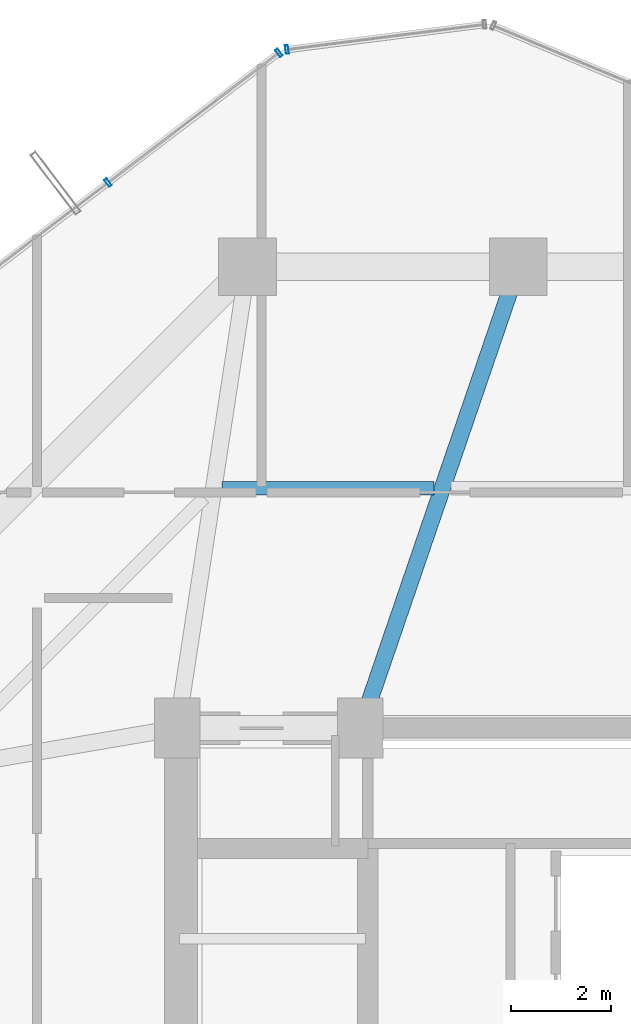
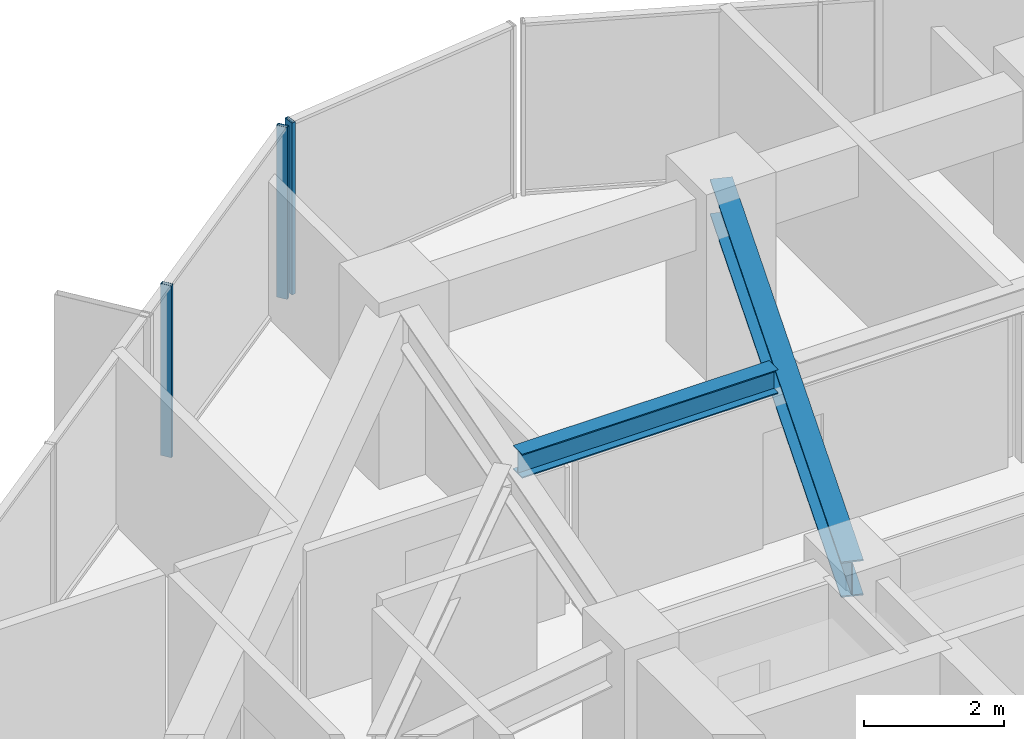
# One storey, part 21 of 33: 3 members, 2 beams, 2 elements without a shape of their own.
"""IFC4 building model written with IfcOpenShell, lengths in metres."""

from ifc_helpers import new_model, si_unit, direction, frame, origin, origin_2d, place, context, subcontext, project, spatial, hollow_rectangle, i_section, extrude, source, transform, mapped, material, layer, layer_set, material_profile, profile_set, type_object, element, aggregate, save


model = new_model("IFC4")

# Units and contexts
model_context = context("Model", 3, precision=1e-05, world=origin(), true_north=direction((0.0, 1.0)))
body_context = subcontext(model_context, "Body", "Model", "MODEL_VIEW")
ifc_project = project(units=[si_unit("LENGTHUNIT", "METRE"), si_unit("AREAUNIT", "SQUARE_METRE"), si_unit("VOLUMEUNIT", "CUBIC_METRE"), si_unit("PLANEANGLEUNIT", "RADIAN"), si_unit("MASSUNIT", "GRAM", prefix="KILO")], contexts=[model_context])

# Site, building, storey
site_placement = place(None, origin())
site = spatial("IfcSite", under=ifc_project, at=site_placement, CompositionType="ELEMENT")
building_placement = place(site_placement, origin())
building = spatial("IfcBuilding", under=site, at=building_placement, Name="Veraguas Prism Commons", CompositionType="ELEMENT")
storey_placement = place(building_placement, frame((0.0, 0.0, 152.25)))
storey = spatial("IfcBuildingStorey", under=building, at=storey_placement, Name="L43", CompositionType="ELEMENT", Elevation=152.25)

# Beams
ifc_material_1 = material(Name="Steel ASTM A992 Grade 50", Category="steel")
ifc_material_profile_1 = material_profile(ifc_material_1, i_section(OverallWidth=0.260986328125, OverallDepth=0.419921875, WebThickness=0.01171875, FlangeThickness=0.019287109375, at=origin_2d()), Name="W410X114")
ifc_profile_set_1 = profile_set([ifc_material_profile_1], Name="Steel ASTM A992 Grade 50")
beam_type_1 = type_object("IfcBeamType", Name="Lower Floor Joist W410x114", PredefinedType="JOIST", material=ifc_profile_set_1)
beam_1_placement = place(storey_placement, frame((22.31689453125, 35.783935546875, 2.7900390625), z_axis=(-1.0, 0.0, 0.0), x_axis=(0.0, -1.0, 0.0)))
element("IfcBeam", 1, at=beam_1_placement, inside=storey, type_object=beam_type_1, Name="Composite Floor Joist L43-JS05", PredefinedType="JOIST", context=body_context, shape_type="SweptSolid", body=[
    extrude(i_section(OverallWidth=0.260986328125, OverallDepth=0.419921875, WebThickness=0.01171875, FlangeThickness=0.019287109375, at=origin_2d()), origin(), (0.0, 0.0, 1.0), 4.22509765625),
])
ifc_material_profile_2 = material_profile(ifc_material_1, i_section(OverallWidth=0.327880859375, OverallDepth=0.6220703125, WebThickness=0.015380859375, FlangeThickness=0.0244140625, at=origin_2d()), Name="W610X195")
ifc_profile_set_2 = profile_set([ifc_material_profile_2], Name="Steel ASTM A992 Grade 50")
beam_type_2 = type_object("IfcBeamType", Name="Zone 2 Radial Girder W610x195", PredefinedType="BEAM", material=ifc_profile_set_2)
beam_2_placement = place(storey_placement, frame((24.0, 40.199951171875, 2.68896484375), z_axis=(-0.323922482989, -0.946083624747, 0.0), x_axis=(0.946083624747, -0.323922482989, 0.0)))
element("IfcBeam", 2, at=beam_2_placement, inside=storey, type_object=beam_type_2, Name="Radial Floor Girder L43-RD05", PredefinedType="BEAM", context=body_context, shape_type="SweptSolid", body=[
    extrude(i_section(OverallWidth=0.327880859375, OverallDepth=0.6220703125, WebThickness=0.015380859375, FlangeThickness=0.0244140625, at=origin_2d()), origin(), (0.0, 0.0, 1.0), 9.724365234375),
])

# Curtain wall, members
ifc_material_2 = material(Name="Anodised aluminium EN AW-6063 T6", Category="aluminium")
ifc_layer = layer(ifc_material_2, 0.169921875, Name="Unitised Flush Curtain Wall Zone 2", Category="aluminium")
ifc_layer_set = layer_set([ifc_layer], Name="Anodised aluminium EN AW-6063 T6")
curtain_wall_type = type_object("IfcCurtainWallType", Name="Unitised Flush Curtain Wall Zone 2", PredefinedType="NOTDEFINED", material=ifc_layer_set)
curtain_wall_1_placement = place(storey_placement, origin())
curtain_wall_1 = element("IfcCurtainWall", 3, at=curtain_wall_1_placement, inside=storey, type_object=curtain_wall_type, Name="Tower Facade Curtain Wall L43-F2", PredefinedType="NOTDEFINED")
ifc_material_profile_3 = material_profile(ifc_material_2, hollow_rectangle(XDim=0.06005859375, YDim=0.169921875, WallThickness=0.00390625, at=origin_2d()), Name="AL60X170X4")
ifc_profile_set_3 = profile_set([ifc_material_profile_3], Name="Anodised aluminium EN AW-6063 T6")
member_type = type_object("IfcMemberType", Name="Curtain Wall Mullion Lower AL 60x170x4", PredefinedType="MULLION", material=ifc_profile_set_3)
shared_shape = source(origin(), body_context, "Body", "SweptSolid", [
    extrude(hollow_rectangle(XDim=0.06005859375, YDim=0.169921875, WallThickness=0.00390625, at=origin_2d()), origin(), (0.0, 0.0, 1.0), 3.0),
])
member_1_placement = place(storey_placement, frame((19.22802734375, 44.468017578125, 0.0), z_axis=(0.0, 0.0, 1.0), x_axis=(-0.796104465545, -0.605159218668, 0.0)))
member_1 = element("IfcMember", 4, at=member_1_placement, type_object=member_type, Name="CW-Z2 Mullion 1", PredefinedType="MULLION", context=body_context, shape_type="MappedRepresentation", body=[
    mapped(shared_shape, transform((0.0, 0.0, 0.0), scale=1.0)),
])
member_2_placement = place(storey_placement, frame((15.82177734375, 41.878662109375, 0.0), z_axis=(0.0, 0.0, 1.0), x_axis=(-0.796104465545, -0.605159218668, 0.0)))
member_2 = element("IfcMember", 5, at=member_2_placement, type_object=member_type, Name="CW-Z2 Mullion 2", PredefinedType="MULLION", context=body_context, shape_type="MappedRepresentation", body=[
    mapped(shared_shape, transform((0.0, 0.0, 0.0), scale=1.0)),
])
aggregate(curtain_wall_1, [member_1, member_2])

# Curtain wall, member
curtain_wall_2_placement = place(storey_placement, origin())
curtain_wall_2 = element("IfcCurtainWall", 6, at=curtain_wall_2_placement, inside=storey, type_object=curtain_wall_type, Name="Chamfer Curtain Wall L43-C2", PredefinedType="NOTDEFINED")
member_3_placement = place(storey_placement, frame((19.388916015625, 44.53369140625, 0.0), z_axis=(0.0, 0.0, 1.0), x_axis=(-0.992029599707, -0.126005052697, 0.0)))
member_3 = element("IfcMember", 7, at=member_3_placement, type_object=member_type, Name="CW-Z2 Mullion 2", PredefinedType="MULLION", context=body_context, shape_type="MappedRepresentation", body=[
    mapped(shared_shape, transform((0.0, 0.0, 0.0), scale=1.0)),
])
aggregate(curtain_wall_2, [member_3])

save(model, "model.ifc")
